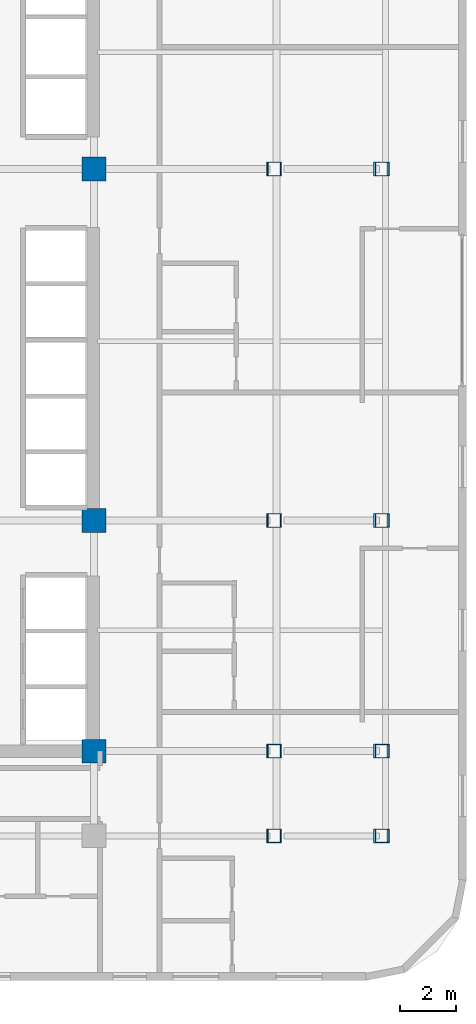
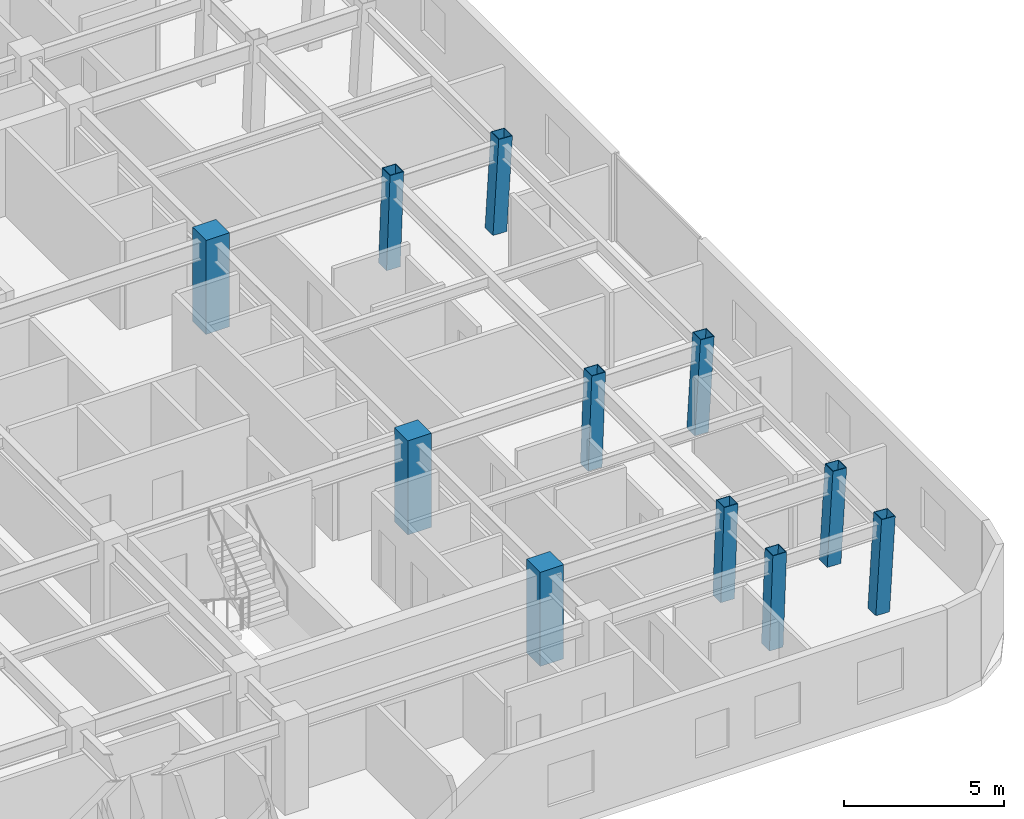
# One storey, part 2 of 13: 11 columns.
"""IFC4 building model written with IfcOpenShell, lengths in metres."""

from ifc_helpers import new_model, si_unit, direction, frame, origin, origin_2d, place, context, subcontext, project, spatial, rectangle, hollow_rectangle, extrude, material, material_profile, profile_set, type_object, element, save


model = new_model("IFC4")

# Units and contexts
model_context = context("Model", 3, precision=1e-05, world=origin(), true_north=direction((0.0, 1.0)))
body_context = subcontext(model_context, "Body", "Model", "MODEL_VIEW")
ifc_project = project(units=[si_unit("LENGTHUNIT", "METRE"), si_unit("AREAUNIT", "SQUARE_METRE"), si_unit("VOLUMEUNIT", "CUBIC_METRE"), si_unit("PLANEANGLEUNIT", "RADIAN"), si_unit("MASSUNIT", "GRAM", prefix="KILO")], contexts=[model_context])

# Site, building, storey
site_placement = place(None, origin())
site = spatial("IfcSite", under=ifc_project, at=site_placement, CompositionType="ELEMENT")
building_placement = place(site_placement, origin())
building = spatial("IfcBuilding", under=site, at=building_placement, Name="Ochreholt Gables", CompositionType="ELEMENT")
storey_placement = place(building_placement, frame((0.0, 0.0, 49.199951171875)))
storey = spatial("IfcBuildingStorey", under=building, at=storey_placement, Name="L12", CompositionType="ELEMENT", Elevation=49.199951171875)

# Columns
ifc_material_1 = material(Name="Steel CSA G40.21 350W", Category="steel")
ifc_material_profile_1 = material_profile(ifc_material_1, hollow_rectangle(XDim=0.5, YDim=0.5, WallThickness=0.02197265625, at=origin_2d()), Name="HSS500X500X22")
ifc_profile_set_1 = profile_set([ifc_material_profile_1], Name="Steel CSA G40.21 350W")
column_type_1 = type_object("IfcColumnType", Name="COL-HSS500-RAK", PredefinedType="COLUMN", material=ifc_profile_set_1)
for number, where, z_axis, x_axis, name in (
    (1, (41.657958984375, 9.25, 0.0), (0.034971136209, 0.0, 0.999388322742), (0.0, 1.0, 0.0), "L12 Column EMY2"),
    (2, (41.657958984375, 17.550048828125, 0.0), (0.034971136209, 0.0, 0.999388322742), (0.0, 1.0, 0.0), "L12 Column EMY3"),
    (3, (41.657958984375, 30.199951171875, 0.0), (0.034971136209, 0.0, 0.999388322742), (0.0, 1.0, 0.0), "L12 Column EMY4"),
):
    element("IfcColumn", number, at=place(storey_placement, frame(where, z_axis=z_axis, x_axis=x_axis)), inside=storey, type_object=column_type_1, Name=name, PredefinedType="COLUMN", context=body_context, shape_type="SweptSolid", body=[
        extrude(hollow_rectangle(XDim=0.5, YDim=0.5, WallThickness=0.02197265625, at=origin_2d()), origin(), (0.0, 0.0, 1.0), 3.602294921875),
    ])
ifc_material_profile_2 = material_profile(ifc_material_1, hollow_rectangle(XDim=0.5, YDim=0.5, WallThickness=0.02197265625, at=origin_2d()), Name="HSS500X500X22")
ifc_profile_set_2 = profile_set([ifc_material_profile_2], Name="Steel CSA G40.21 350W")
column_type_2 = type_object("IfcColumnType", Name="COL-HSS500-RAKE", PredefinedType="COLUMN", material=ifc_profile_set_2)
column_placement = place(storey_placement, frame((41.657958984375, 6.199951171875, 0.0), z_axis=(0.034971136209, 0.0, 0.999388322742), x_axis=(0.0, 1.0, 0.0)))
element("IfcColumn", 4, at=column_placement, inside=storey, type_object=column_type_2, Name="L12 Column EMY1", PredefinedType="COLUMN", context=body_context, shape_type="SweptSolid", body=[
    extrude(hollow_rectangle(XDim=0.5, YDim=0.5, WallThickness=0.02197265625, at=origin_2d()), origin(), (0.0, 0.0, 1.0), 3.602294921875),
])
for number, where, z_axis, x_axis, name in (
    (5, (45.510498046875, 6.199951171875, 0.0), (0.057884606321, 0.0, 0.998323280481), (0.0, 1.0, 0.0), "L12 Column EEY1"),
    (6, (45.510498046875, 9.25, 0.0), (0.057884606321, 0.0, 0.998323280481), (0.0, 1.0, 0.0), "L12 Column EEY2"),
    (7, (45.510498046875, 17.550048828125, 0.0), (0.057884606321, 0.0, 0.998323280481), (0.0, 1.0, 0.0), "L12 Column EEY3"),
    (8, (45.510498046875, 30.199951171875, 0.0), (0.057884606321, 0.0, 0.998323280481), (0.0, 1.0, 0.0), "L12 Column EEY4"),
):
    element("IfcColumn", number, at=place(storey_placement, frame(where, z_axis=z_axis, x_axis=x_axis)), inside=storey, type_object=column_type_2, Name=name, PredefinedType="COLUMN", context=body_context, shape_type="SweptSolid", body=[
        extrude(hollow_rectangle(XDim=0.5, YDim=0.5, WallThickness=0.02197265625, at=origin_2d()), origin(), (0.0, 0.0, 1.0), 3.606201171875),
    ])
ifc_material_2 = material(Name="Concrete 60 MPa", Category="concrete")
ifc_material_profile_3 = material_profile(ifc_material_2, rectangle(XDim=0.85009765625, YDim=0.85009765625, at=origin_2d()), Name="RC850X850")
ifc_profile_set_3 = profile_set([ifc_material_profile_3], Name="Concrete 60 MPa")
column_type_3 = type_object("IfcColumnType", Name="COL-RC850-INT", PredefinedType="COLUMN", material=ifc_profile_set_3)
for number, where, z_axis, x_axis, name in (
    (9, (35.199951171875, 9.25, 0.0), (0.0, 0.0, 1.0), (1.0, 0.0, 0.0), "L12 Column C2Y2"),
    (10, (35.199951171875, 17.550048828125, 0.0), (0.0, 0.0, 1.0), (1.0, 0.0, 0.0), "L12 Column C2Y3"),
    (11, (35.199951171875, 30.199951171875, 0.0), (0.0, 0.0, 1.0), (1.0, 0.0, 0.0), "L12 Column C2Y4"),
):
    element("IfcColumn", number, at=place(storey_placement, frame(where, z_axis=z_axis, x_axis=x_axis)), inside=storey, type_object=column_type_3, Name=name, PredefinedType="COLUMN", context=body_context, shape_type="SweptSolid", body=[
        extrude(rectangle(XDim=0.85009765625, YDim=0.85009765625, at=origin_2d()), origin(), (0.0, 0.0, 1.0), 3.60009765625),
    ])

save(model, "model.ifc")
